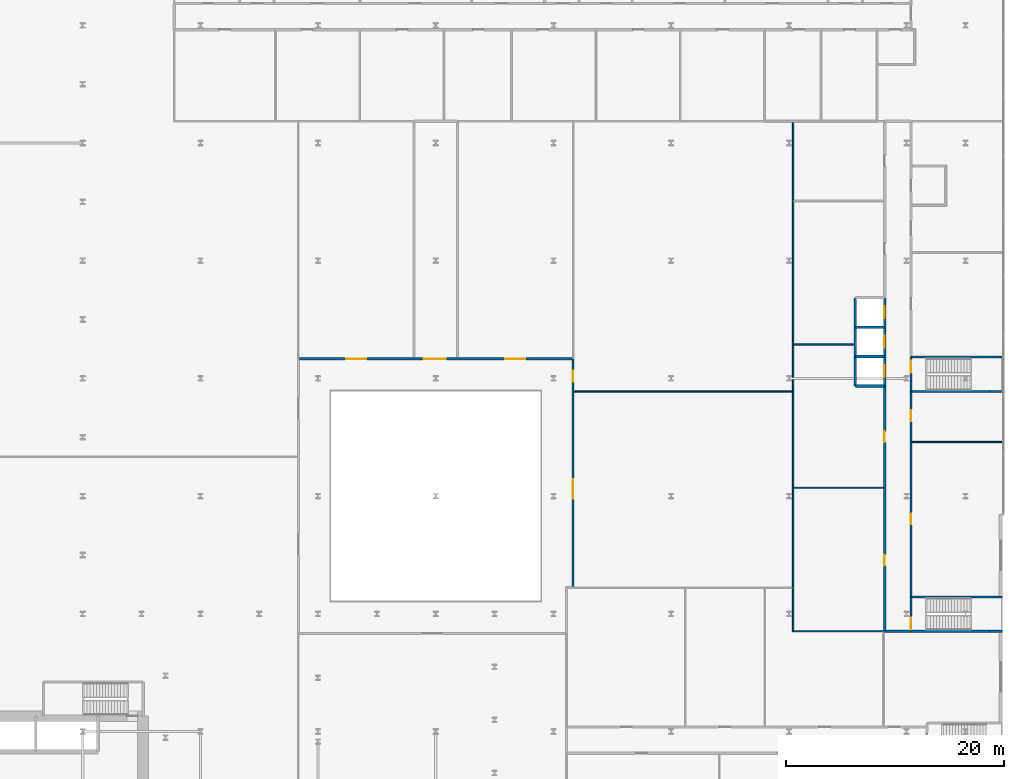
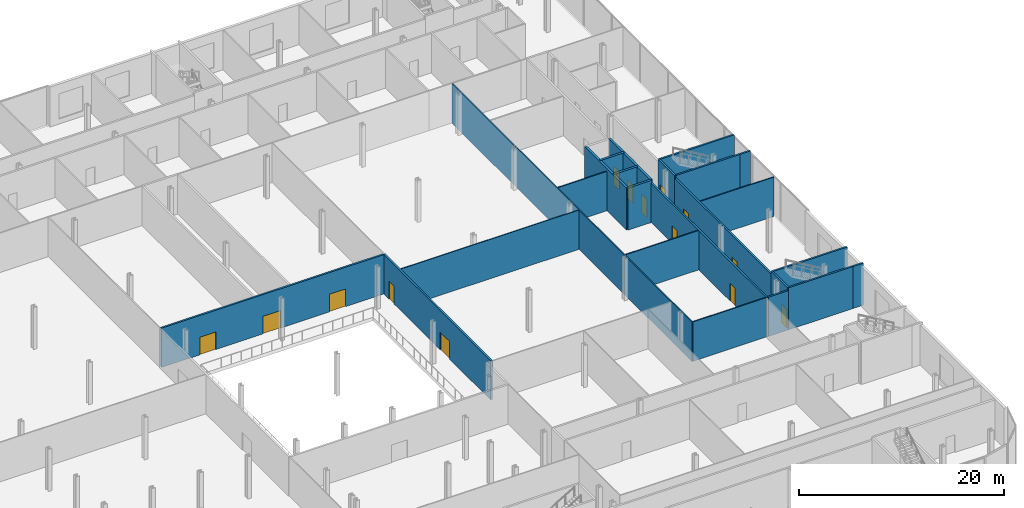
# One storey, part 32 of 47: 24 walls, 14 doors, 14 openings.
"""IFC4 building model written with IfcOpenShell, lengths in metres."""

from ifc_helpers import new_model, si_unit, direction, frame, frame_2d, origin, place, context, subcontext, project, spatial, rectangle, extrude, source, transform, mapped, material, layer, layer_set, type_object, element, fill, save


model = new_model("IFC4")

# Units and contexts
model_context = context("Model", 3, precision=1e-05, world=origin(), true_north=direction((0.0, 1.0)))
body_context = subcontext(model_context, "Body", "Model", "MODEL_VIEW")
ifc_project = project(units=[si_unit("LENGTHUNIT", "METRE"), si_unit("AREAUNIT", "SQUARE_METRE"), si_unit("VOLUMEUNIT", "CUBIC_METRE"), si_unit("PLANEANGLEUNIT", "RADIAN"), si_unit("MASSUNIT", "GRAM", prefix="KILO")], contexts=[model_context])

# Site, building, storey
site_placement = place(None, origin())
site = spatial("IfcSite", under=ifc_project, at=site_placement, CompositionType="ELEMENT")
building_placement = place(site_placement, origin())
building = spatial("IfcBuilding", under=site, at=building_placement, Name="Kheshtan School and Residences Tower", CompositionType="ELEMENT")
storey_placement = place(building_placement, frame((0.0, 0.0, 7.5)))
storey = spatial("IfcBuildingStorey", under=building, at=storey_placement, Name="L01", CompositionType="ELEMENT", Elevation=7.5)

# Walls
ifc_material_1 = material(Name="Gypsum board on steel studs with mineral wool", Category="steel")
ifc_layer_1 = layer(ifc_material_1, 0.125)
ifc_layer_set_1 = layer_set([ifc_layer_1], Name="Acoustic partition 125")
wall_type_1 = type_object("IfcWallType", Name="Acoustic partition 125", PredefinedType="PARTITIONING", material=ifc_layer_set_1)
wall_1_placement = place(storey_placement, frame((112.800048828125, 43.93798828125, 0.0), z_axis=(0.0, 0.0, 1.0), x_axis=(0.0, 1.0, 0.0)))
element("IfcWall", 1, at=wall_1_placement, inside=storey, type_object=wall_type_1, Name="Partition L01-068", PredefinedType="PARTITIONING", context=body_context, shape_type="SweptSolid", body=[
    extrude(rectangle(XDim=46.787109375, YDim=0.125, at=frame_2d((23.3935546875, 0.0))), origin(), (0.0, 0.0, 1.0), 4.679931640625),
])
wall_2_placement = place(storey_placement, frame((112.862060546875, 44.0, 0.0), z_axis=(0.0, 0.0, 1.0), x_axis=(1.0, 0.0, 0.0)))
element("IfcWall", 2, at=wall_2_placement, inside=storey, type_object=wall_type_1, Name="Partition L01-069", PredefinedType="PARTITIONING", context=body_context, shape_type="SweptSolid", body=[
    extrude(rectangle(XDim=8.279052734375, YDim=0.125, at=frame_2d((4.1396484375, 0.0))), origin(), (0.0, 0.0, 1.0), 4.679931640625),
])
wall_3_placement = place(storey_placement, frame((112.862060546875, 57.162109375, 0.0), z_axis=(0.0, 0.0, 1.0), x_axis=(1.0, 0.0, 0.0)))
element("IfcWall", 3, at=wall_3_placement, inside=storey, type_object=wall_type_1, Name="Partition L01-070", PredefinedType="PARTITIONING", context=body_context, shape_type="SweptSolid", body=[
    extrude(rectangle(XDim=8.238037109375, YDim=0.125, at=frame_2d((4.119140625, 0.0))), origin(), (0.0, 0.0, 1.0), 4.679931640625),
])
wall_4_placement = place(storey_placement, frame((112.862060546875, 70.324951171875, 0.0), z_axis=(0.0, 0.0, 1.0), x_axis=(1.0, 0.0, 0.0)))
element("IfcWall", 4, at=wall_4_placement, inside=storey, type_object=wall_type_1, Name="Partition L01-071", PredefinedType="PARTITIONING", context=body_context, shape_type="SweptSolid", body=[
    extrude(rectangle(XDim=5.513916015625, YDim=0.125, at=frame_2d((2.7568359375, 0.0))), origin(), (0.0, 0.0, 1.0), 4.679931640625),
])
wall_5_placement = place(storey_placement, frame((123.699951171875, 61.368896484375, 0.0), z_axis=(0.0, 0.0, 1.0), x_axis=(1.0, 0.0, 0.0)))
element("IfcWall", 5, at=wall_5_placement, inside=storey, type_object=wall_type_1, Name="Partition L01-091", PredefinedType="PARTITIONING", context=body_context, shape_type="SweptSolid", body=[
    extrude(rectangle(XDim=8.300048828125, YDim=0.125, at=frame_2d((4.14990234375, 0.0))), origin(), (0.0, 0.0, 1.0), 4.679931640625),
])

# Wall, openings, doors
ifc_material_2 = material(Name="Gypsum board on steel studs with fire boards", Category="steel")
ifc_layer_2 = layer(ifc_material_2, 0.199951171875)
ifc_layer_set_2 = layer_set([ifc_layer_2], Name="Corridor wall 200")
wall_type_2 = type_object("IfcWallType", Name="Corridor wall 200", PredefinedType="PARTITIONING", material=ifc_layer_set_2)
wall_6_placement = place(storey_placement, frame((67.5, 69.0, 0.0), z_axis=(0.0, 0.0, 1.0), x_axis=(1.0, 0.0, 0.0)))
wall_6 = element("IfcWall", 6, at=wall_6_placement, inside=storey, type_object=wall_type_2, Name="Partition L01-033", PredefinedType="PARTITIONING", context=body_context, shape_type="SweptSolid", body=[
    extrude(rectangle(XDim=25.0, YDim=0.199951171875, at=frame_2d((12.5, 0.0))), origin(), (0.0, 0.0, 1.0), 4.679931640625),
])
opening_1_placement = place(wall_6_placement, frame((11.39990234375, 0.0, 0.0)))
opening_1 = element("IfcOpeningElement", 7, at=opening_1_placement, cuts=wall_6, Name="Opening D01-012", PredefinedType="OPENING", context=body_context, shape_type="SweptSolid", body=[
    extrude(rectangle(XDim=2.0, YDim=2.10009765625, at=frame_2d((1.0, 1.050048828125))), frame((0.0, 0.10986328125, 0.0), z_axis=(0.0, -1.0, 0.0), x_axis=(1.0, 0.0, 0.0)), (0.0, 0.0, 1.0), 0.219970703125),
])
opening_2_placement = place(wall_6_placement, frame((4.300048828125, 0.0, 0.0)))
opening_2 = element("IfcOpeningElement", 8, at=opening_2_placement, cuts=wall_6, Name="Opening D01-032", PredefinedType="OPENING", context=body_context, shape_type="SweptSolid", body=[
    extrude(rectangle(XDim=1.800048828125, YDim=2.10009765625, at=frame_2d((0.89990234375, 1.050048828125))), frame((0.0, 0.10986328125, 0.0), z_axis=(0.0, -1.0, 0.0), x_axis=(1.0, 0.0, 0.0)), (0.0, 0.0, 1.0), 0.219970703125),
])
opening_3_placement = place(wall_6_placement, frame((18.89990234375, 0.0, 0.0)))
opening_3 = element("IfcOpeningElement", 9, at=opening_3_placement, cuts=wall_6, Name="Opening D01-033", PredefinedType="OPENING", context=body_context, shape_type="SweptSolid", body=[
    extrude(rectangle(XDim=1.800048828125, YDim=2.10009765625, at=frame_2d((0.89990234375, 1.050048828125))), frame((0.0, 0.10986328125, 0.0), z_axis=(0.0, -1.0, 0.0), x_axis=(1.0, 0.0, 0.0)), (0.0, 0.0, 1.0), 0.219970703125),
])
ifc_material_3 = material(Name="Steel-framed fire-resisting door leaf", Category="steel")
door_type_1 = type_object("IfcDoorType", Name="Fire double door FD60 1800 x 2100", OperationType="DOUBLE_DOOR_SINGLE_SWING", PredefinedType="DOOR", material=ifc_material_3)
shared_shape_1 = source(origin(), body_context, "Body", "SweptSolid", [
    extrude(rectangle(XDim=1.800048828125, YDim=2.10009765625, at=frame_2d((0.89990234375, 1.050048828125))), frame((0.0, 0.02490234375, 0.0), z_axis=(0.0, -1.0, 0.0), x_axis=(1.0, 0.0, 0.0)), (0.0, 0.0, 1.0), 0.050048828125),
])
door_1_placement = place(opening_2_placement, origin())
door_1 = element("IfcDoor", 10, at=door_1_placement, inside=storey, type_object=door_type_1, Name="Door D01-032", OperationType="DOUBLE_DOOR_SINGLE_SWING", OverallHeight=2.10009765625, OverallWidth=1.800048828125, PredefinedType="DOOR", context=body_context, shape_type="MappedRepresentation", body=[
    mapped(shared_shape_1, transform((0.0, 0.0, 0.0), x_axis=(1.0, 0.0, 0.0), y_axis=(0.0, 1.0, 0.0), z_axis=(0.0, 0.0, 1.0), scale=1.0)),
])
fill(opening_2, door_1)
door_2_placement = place(opening_3_placement, origin())
door_2 = element("IfcDoor", 11, at=door_2_placement, inside=storey, type_object=door_type_1, Name="Door D01-033", OperationType="DOUBLE_DOOR_SINGLE_SWING", OverallHeight=2.10009765625, OverallWidth=1.800048828125, PredefinedType="DOOR", context=body_context, shape_type="MappedRepresentation", body=[
    mapped(shared_shape_1, transform((0.0, 0.0, 0.0), x_axis=(1.0, 0.0, 0.0), y_axis=(0.0, 1.0, 0.0), z_axis=(0.0, 0.0, 1.0), scale=1.0)),
])
fill(opening_3, door_2)
door_type_2 = type_object("IfcDoorType", Name="Fire double door FD60 2000 x 2100", OperationType="DOUBLE_DOOR_SINGLE_SWING", PredefinedType="DOOR", material=ifc_material_3)
shared_shape_2 = source(origin(), body_context, "Body", "SweptSolid", [
    extrude(rectangle(XDim=2.0, YDim=2.10009765625, at=frame_2d((1.0, 1.050048828125))), frame((0.0, 0.02490234375, 0.0), z_axis=(0.0, -1.0, 0.0), x_axis=(1.0, 0.0, 0.0)), (0.0, 0.0, 1.0), 0.050048828125),
])
door_3_placement = place(opening_1_placement, origin())
door_3 = element("IfcDoor", 12, at=door_3_placement, inside=storey, type_object=door_type_2, Name="Door D01-012", OperationType="DOUBLE_DOOR_SINGLE_SWING", OverallHeight=2.10009765625, OverallWidth=2.0, PredefinedType="DOOR", context=body_context, shape_type="MappedRepresentation", body=[
    mapped(shared_shape_2, transform((0.0, 0.0, 0.0), x_axis=(1.0, 0.0, 0.0), y_axis=(0.0, 1.0, 0.0), z_axis=(0.0, 0.0, 1.0), scale=1.0)),
])
fill(opening_1, door_3)

wall_7_placement = place(storey_placement, frame((92.60009765625, 48.10009765625, 0.0), z_axis=(0.0, 0.0, 1.0), x_axis=(0.0, 1.0, 0.0)))
wall_7 = element("IfcWall", 13, at=wall_7_placement, inside=storey, type_object=wall_type_2, Name="Partition L01-054", PredefinedType="PARTITIONING", context=body_context, shape_type="SweptSolid", body=[
    extrude(rectangle(XDim=20.89990234375, YDim=0.199951171875, at=frame_2d((10.449951171875, 0.0))), origin(), (0.0, 0.0, 1.0), 4.679931640625),
])
opening_4_placement = place(wall_7_placement, frame((8.050048828125, 0.0, 0.0)))
opening_4 = element("IfcOpeningElement", 14, at=opening_4_placement, cuts=wall_7, Name="Opening D01-010", PredefinedType="OPENING", context=body_context, shape_type="SweptSolid", body=[
    extrude(rectangle(XDim=1.800048828125, YDim=2.10009765625, at=frame_2d((0.89990234375, 1.050048828125))), frame((0.0, 0.10986328125, 0.0), z_axis=(0.0, -1.0, 0.0), x_axis=(1.0, 0.0, 0.0)), (0.0, 0.0, 1.0), 0.219970703125),
])
opening_5_placement = place(wall_7_placement, frame((18.800048828125, 0.0, 0.0)))
opening_5 = element("IfcOpeningElement", 15, at=opening_5_placement, cuts=wall_7, Name="Opening D01-011", PredefinedType="OPENING", context=body_context, shape_type="SweptSolid", body=[
    extrude(rectangle(XDim=1.0, YDim=2.10009765625, at=frame_2d((0.5, 1.050048828125))), frame((0.0, 0.10986328125, 0.0), z_axis=(0.0, -1.0, 0.0), x_axis=(1.0, 0.0, 0.0)), (0.0, 0.0, 1.0), 0.219970703125),
])
door_4_placement = place(opening_4_placement, origin())
door_4 = element("IfcDoor", 16, at=door_4_placement, inside=storey, type_object=door_type_1, Name="Door D01-010", OperationType="DOUBLE_DOOR_SINGLE_SWING", OverallHeight=2.10009765625, OverallWidth=1.800048828125, PredefinedType="DOOR", context=body_context, shape_type="MappedRepresentation", body=[
    mapped(shared_shape_1, transform((0.0, 0.0, 0.0), x_axis=(1.0, 0.0, 0.0), y_axis=(0.0, 1.0, 0.0), z_axis=(0.0, 0.0, 1.0), scale=1.0)),
])
fill(opening_4, door_4)
door_type_3 = type_object("IfcDoorType", Name="Fire door FD60 1000 x 2100", OperationType="SINGLE_SWING_LEFT", PredefinedType="DOOR", material=ifc_material_3)
shared_shape_3 = source(origin(), body_context, "Body", "SweptSolid", [
    extrude(rectangle(XDim=1.0, YDim=2.10009765625, at=frame_2d((0.5, 1.050048828125))), frame((0.0, 0.02490234375, 0.0), z_axis=(0.0, -1.0, 0.0), x_axis=(1.0, 0.0, 0.0)), (0.0, 0.0, 1.0), 0.050048828125),
])
door_5_placement = place(opening_5_placement, origin())
door_5 = element("IfcDoor", 17, at=door_5_placement, inside=storey, type_object=door_type_3, Name="Door D01-011", OperationType="SINGLE_SWING_RIGHT", OverallHeight=2.10009765625, OverallWidth=1.0, PredefinedType="DOOR", context=body_context, shape_type="MappedRepresentation", body=[
    mapped(shared_shape_3, transform((0.0, 0.0, 0.0), x_axis=(1.0, 0.0, 0.0), y_axis=(0.0, 1.0, 0.0), z_axis=(0.0, 0.0, 1.0), scale=1.0)),
])
fill(opening_5, door_5)

wall_8_placement = place(storey_placement, frame((121.199951171875, 43.89990234375, 0.0), z_axis=(0.0, 0.0, 1.0), x_axis=(0.0, 1.0, 0.0)))
wall_8 = element("IfcWall", 18, at=wall_8_placement, inside=storey, type_object=wall_type_2, Name="Partition L01-081", PredefinedType="PARTITIONING", context=body_context, shape_type="SweptSolid", body=[
    extrude(rectangle(XDim=22.60009765625, YDim=0.199951171875, at=frame_2d((11.300048828125, 0.0))), origin(), (0.0, 0.0, 1.0), 4.679931640625),
])
opening_6_placement = place(wall_8_placement, frame((6.112060546875, 0.0, 0.0)))
opening_6 = element("IfcOpeningElement", 19, at=opening_6_placement, cuts=wall_8, Name="Opening D01-001", PredefinedType="OPENING", context=body_context, shape_type="SweptSolid", body=[
    extrude(rectangle(XDim=1.0, YDim=2.10009765625, at=frame_2d((0.5, 1.050048828125))), frame((0.0, 0.10986328125, 0.0), z_axis=(0.0, -1.0, 0.0), x_axis=(1.0, 0.0, 0.0)), (0.0, 0.0, 1.0), 0.219970703125),
])
opening_7_placement = place(wall_8_placement, frame((17.449951171875, 0.0, 0.0)))
opening_7 = element("IfcOpeningElement", 20, at=opening_7_placement, cuts=wall_8, Name="Opening D01-002", PredefinedType="OPENING", context=body_context, shape_type="SweptSolid", body=[
    extrude(rectangle(XDim=1.0, YDim=2.10009765625, at=frame_2d((0.5, 1.050048828125))), frame((0.0, 0.10986328125, 0.0), z_axis=(0.0, -1.0, 0.0), x_axis=(1.0, 0.0, 0.0)), (0.0, 0.0, 1.0), 0.219970703125),
])
door_6_placement = place(opening_6_placement, origin())
door_6 = element("IfcDoor", 21, at=door_6_placement, inside=storey, type_object=door_type_3, Name="Door D01-001", OperationType="SINGLE_SWING_RIGHT", OverallHeight=2.10009765625, OverallWidth=1.0, PredefinedType="DOOR", context=body_context, shape_type="MappedRepresentation", body=[
    mapped(shared_shape_3, transform((0.0, 0.0, 0.0), x_axis=(1.0, 0.0, 0.0), y_axis=(0.0, 1.0, 0.0), z_axis=(0.0, 0.0, 1.0), scale=1.0)),
])
fill(opening_6, door_6)
door_7_placement = place(opening_7_placement, origin())
door_7 = element("IfcDoor", 22, at=door_7_placement, inside=storey, type_object=door_type_3, Name="Door D01-002", OperationType="SINGLE_SWING_LEFT", OverallHeight=2.10009765625, OverallWidth=1.0, PredefinedType="DOOR", context=body_context, shape_type="MappedRepresentation", body=[
    mapped(shared_shape_3, transform((0.0, 0.0, 0.0), x_axis=(1.0, 0.0, 0.0), y_axis=(0.0, 1.0, 0.0), z_axis=(0.0, 0.0, 1.0), scale=1.0)),
])
fill(opening_7, door_7)

# Wall
wall_9_placement = place(storey_placement, frame((121.300048828125, 44.0, 0.0), z_axis=(0.0, 0.0, 1.0), x_axis=(1.0, 0.0, 0.0)))
element("IfcWall", 23, at=wall_9_placement, inside=storey, type_object=wall_type_2, Name="Partition L01-084", PredefinedType="PARTITIONING", context=body_context, shape_type="SweptSolid", body=[
    extrude(rectangle(XDim=2.300048828125, YDim=0.199951171875, at=frame_2d((1.14990234375, 0.0))), origin(), (0.0, 0.0, 1.0), 4.679931640625),
])

# Wall, openings, doors
wall_10_placement = place(storey_placement, frame((123.60009765625, 47.14990234375, 0.0), z_axis=(0.0, 0.0, 1.0), x_axis=(0.0, 1.0, 0.0)))
wall_10 = element("IfcWall", 24, at=wall_10_placement, inside=storey, type_object=wall_type_2, Name="Partition L01-085", PredefinedType="PARTITIONING", context=body_context, shape_type="SweptSolid", body=[
    extrude(rectangle(XDim=18.85009765625, YDim=0.199951171875, at=frame_2d((9.425048828125, 0.0))), origin(), (0.0, 0.0, 1.0), 4.679931640625),
])
opening_8_placement = place(wall_10_placement, frame((6.64990234375, 0.0, 0.0)))
opening_8 = element("IfcOpeningElement", 25, at=opening_8_placement, cuts=wall_10, Name="Opening D01-005", PredefinedType="OPENING", context=body_context, shape_type="SweptSolid", body=[
    extrude(rectangle(XDim=1.0, YDim=2.10009765625, at=frame_2d((0.5, 1.050048828125))), frame((0.0, 0.10986328125, 0.0), z_axis=(0.0, -1.0, 0.0), x_axis=(1.0, 0.0, 0.0)), (0.0, 0.0, 1.0), 0.219970703125),
])
opening_9_placement = place(wall_10_placement, frame((16.118896484375, 0.0, 0.0)))
opening_9 = element("IfcOpeningElement", 26, at=opening_9_placement, cuts=wall_10, Name="Opening D01-006", PredefinedType="OPENING", context=body_context, shape_type="SweptSolid", body=[
    extrude(rectangle(XDim=1.0, YDim=2.10009765625, at=frame_2d((0.5, 1.050048828125))), frame((0.0, 0.10986328125, 0.0), z_axis=(0.0, -1.0, 0.0), x_axis=(1.0, 0.0, 0.0)), (0.0, 0.0, 1.0), 0.219970703125),
])
door_8_placement = place(opening_8_placement, origin())
door_8 = element("IfcDoor", 27, at=door_8_placement, inside=storey, type_object=door_type_3, Name="Door D01-005", OperationType="SINGLE_SWING_RIGHT", OverallHeight=2.10009765625, OverallWidth=1.0, PredefinedType="DOOR", context=body_context, shape_type="MappedRepresentation", body=[
    mapped(shared_shape_3, transform((0.0, 0.0, 0.0), x_axis=(1.0, 0.0, 0.0), y_axis=(0.0, 1.0, 0.0), z_axis=(0.0, 0.0, 1.0), scale=1.0)),
])
fill(opening_8, door_8)
door_9_placement = place(opening_9_placement, origin())
door_9 = element("IfcDoor", 28, at=door_9_placement, inside=storey, type_object=door_type_3, Name="Door D01-006", OperationType="SINGLE_SWING_RIGHT", OverallHeight=2.10009765625, OverallWidth=1.0, PredefinedType="DOOR", context=body_context, shape_type="MappedRepresentation", body=[
    mapped(shared_shape_3, transform((0.0, 0.0, 0.0), x_axis=(1.0, 0.0, 0.0), y_axis=(0.0, 1.0, 0.0), z_axis=(0.0, 0.0, 1.0), scale=1.0)),
])
fill(opening_9, door_9)

# Walls
ifc_material_4 = material(Name="Gypsum board on steel studs", Category="steel")
ifc_layer_3 = layer(ifc_material_4, 0.10009765625)
ifc_layer_set_3 = layer_set([ifc_layer_3], Name="Gypsum partition 100")
wall_type_3 = type_object("IfcWallType", Name="Gypsum partition 100", PredefinedType="PARTITIONING", material=ifc_layer_set_3)
wall_11_placement = place(storey_placement, frame((92.699951171875, 66.0, 0.0), z_axis=(0.0, 0.0, 1.0), x_axis=(1.0, 0.0, 0.0)))
element("IfcWall", 29, at=wall_11_placement, inside=storey, type_object=wall_type_3, Name="Partition L01-056", PredefinedType="PARTITIONING", context=body_context, shape_type="SweptSolid", body=[
    extrude(rectangle(XDim=20.0380859375, YDim=0.10009765625, at=frame_2d((10.01904296875, 0.0))), origin(), (0.0, 0.0, 1.0), 4.679931640625),
])
ifc_material_5 = material(Name="Fire-board shaft wall system")
ifc_layer_4 = layer(ifc_material_5, 0.25)
ifc_layer_set_4 = layer_set([ifc_layer_4], Name="Shaft lining wall 250")
wall_type_4 = type_object("IfcWallType", Name="Shaft lining wall 250", PredefinedType="PARTITIONING", material=ifc_layer_set_4)
wall_12_placement = place(storey_placement, frame((118.5, 66.5, 0.0), z_axis=(0.0, 0.0, 1.0), x_axis=(0.0, 1.0, 0.0)))
element("IfcWall", 30, at=wall_12_placement, inside=storey, type_object=wall_type_4, Name="Shaft lining wall", PredefinedType="PARTITIONING", context=body_context, shape_type="SweptSolid", body=[
    extrude(rectangle(XDim=8.10009765625, YDim=0.25, at=frame_2d((4.050048828125, 0.0))), origin(), (0.0, 0.0, 1.0), 5.0),
])

# Wall, openings, doors
wall_13_placement = place(storey_placement, frame((121.199951171875, 66.5, 0.0), z_axis=(0.0, 0.0, 1.0), x_axis=(0.0, 1.0, 0.0)))
wall_13 = element("IfcWall", 31, at=wall_13_placement, inside=storey, type_object=wall_type_4, Name="Shaft lining wall", PredefinedType="PARTITIONING", context=body_context, shape_type="SweptSolid", body=[
    extrude(rectangle(XDim=8.10009765625, YDim=0.25, at=frame_2d((4.050048828125, 0.0))), origin(), (0.0, 0.0, 1.0), 5.0),
])
opening_10_placement = place(wall_13_placement, frame((0.800048828125, 0.0, 0.0)))
opening_10 = element("IfcOpeningElement", 32, at=opening_10_placement, cuts=wall_13, Name="Opening LD", PredefinedType="OPENING", context=body_context, shape_type="SweptSolid", body=[
    extrude(rectangle(XDim=1.10009765625, YDim=2.199951171875, at=frame_2d((0.550048828125, 1.10009765625))), frame((0.0, 0.135009765625, 0.0), z_axis=(0.0, -1.0, 0.0), x_axis=(1.0, 0.0, 0.0)), (0.0, 0.0, 1.0), 0.27001953125),
])
opening_11_placement = place(wall_13_placement, frame((3.5, 0.0, 0.0)))
opening_11 = element("IfcOpeningElement", 33, at=opening_11_placement, cuts=wall_13, Name="Opening LD", PredefinedType="OPENING", context=body_context, shape_type="SweptSolid", body=[
    extrude(rectangle(XDim=1.10009765625, YDim=2.199951171875, at=frame_2d((0.550048828125, 1.10009765625))), frame((0.0, 0.135009765625, 0.0), z_axis=(0.0, -1.0, 0.0), x_axis=(1.0, 0.0, 0.0)), (0.0, 0.0, 1.0), 0.27001953125),
])
opening_12_placement = place(wall_13_placement, frame((6.199951171875, 0.0, 0.0)))
opening_12 = element("IfcOpeningElement", 34, at=opening_12_placement, cuts=wall_13, Name="Opening LD", PredefinedType="OPENING", context=body_context, shape_type="SweptSolid", body=[
    extrude(rectangle(XDim=1.10009765625, YDim=2.199951171875, at=frame_2d((0.550048828125, 1.10009765625))), frame((0.0, 0.135009765625, 0.0), z_axis=(0.0, -1.0, 0.0), x_axis=(1.0, 0.0, 0.0)), (0.0, 0.0, 1.0), 0.27001953125),
])
ifc_material_6 = material(Name="Stainless steel door leaves", Category="steel")
door_type_4 = type_object("IfcDoorType", Name="Lift landing door 1100", OperationType="SLIDING_TO_LEFT", PredefinedType="DOOR", material=ifc_material_6)
shared_shape_4 = source(origin(), body_context, "Body", "SweptSolid", [
    extrude(rectangle(XDim=1.10009765625, YDim=2.199951171875, at=frame_2d((0.550048828125, 1.10009765625))), frame((0.0, 0.02490234375, 0.0), z_axis=(0.0, -1.0, 0.0), x_axis=(1.0, 0.0, 0.0)), (0.0, 0.0, 1.0), 0.050048828125),
])
door_10_placement = place(opening_10_placement, origin())
door_10 = element("IfcDoor", 35, at=door_10_placement, inside=storey, type_object=door_type_4, Name="Lift SCL1 landing door", OperationType="SLIDING_TO_LEFT", OverallHeight=2.199951171875, OverallWidth=1.10009765625, PredefinedType="DOOR", context=body_context, shape_type="MappedRepresentation", body=[
    mapped(shared_shape_4, transform((0.0, 0.0, 0.0), x_axis=(1.0, 0.0, 0.0), y_axis=(0.0, 1.0, 0.0), z_axis=(0.0, 0.0, 1.0), scale=1.0)),
])
fill(opening_10, door_10)
door_11_placement = place(opening_11_placement, origin())
door_11 = element("IfcDoor", 36, at=door_11_placement, inside=storey, type_object=door_type_4, Name="Lift SCL2 landing door", OperationType="SLIDING_TO_LEFT", OverallHeight=2.199951171875, OverallWidth=1.10009765625, PredefinedType="DOOR", context=body_context, shape_type="MappedRepresentation", body=[
    mapped(shared_shape_4, transform((0.0, 0.0, 0.0), x_axis=(1.0, 0.0, 0.0), y_axis=(0.0, 1.0, 0.0), z_axis=(0.0, 0.0, 1.0), scale=1.0)),
])
fill(opening_11, door_11)
door_12_placement = place(opening_12_placement, origin())
door_12 = element("IfcDoor", 37, at=door_12_placement, inside=storey, type_object=door_type_4, Name="Lift SCL3 landing door", OperationType="SLIDING_TO_LEFT", OverallHeight=2.199951171875, OverallWidth=1.10009765625, PredefinedType="DOOR", context=body_context, shape_type="MappedRepresentation", body=[
    mapped(shared_shape_4, transform((0.0, 0.0, 0.0), x_axis=(1.0, 0.0, 0.0), y_axis=(0.0, 1.0, 0.0), z_axis=(0.0, 0.0, 1.0), scale=1.0)),
])
fill(opening_12, door_12)

# Walls
for number, where, z_axis, x_axis, name in (
    (38, (118.5, 66.5, 0.0), (0.0, 0.0, 1.0), (1.0, 0.0, 0.0), "Shaft lining wall"),
    (39, (118.5, 69.199951171875, 0.0), (0.0, 0.0, 1.0), (1.0, 0.0, 0.0), "Shaft lining wall"),
    (40, (118.5, 71.89990234375, 0.0), (0.0, 0.0, 1.0), (1.0, 0.0, 0.0), "Shaft lining wall"),
):
    element("IfcWall", number, at=place(storey_placement, frame(where, z_axis=z_axis, x_axis=x_axis)), inside=storey, type_object=wall_type_4, Name=name, PredefinedType="PARTITIONING", context=body_context, shape_type="SweptSolid", body=[
        extrude(rectangle(XDim=2.699951171875, YDim=0.25, at=frame_2d((1.35009765625, 0.0))), origin(), (0.0, 0.0, 1.0), 5.0),
    ])
ifc_material_7 = material(Name="Concrete C40/50", Category="concrete")
ifc_layer_5 = layer(ifc_material_7, 0.199951171875)
ifc_layer_set_5 = layer_set([ifc_layer_5], Name="Stair enclosure wall 200 Concrete C40/50")
wall_type_5 = type_object("IfcWallType", Name="Stair enclosure wall 200 Concrete C40/50", PredefinedType="SHEAR", material=ifc_layer_set_5)
wall_14_placement = place(storey_placement, frame((123.60009765625, 44.0, 0.0), z_axis=(0.0, 0.0, 1.0), x_axis=(1.0, 0.0, 0.0)))
element("IfcWall", 41, at=wall_14_placement, inside=storey, type_object=wall_type_5, Name="Stair enclosure wall", PredefinedType="SHEAR", context=body_context, shape_type="SweptSolid", body=[
    extrude(rectangle(XDim=7.199951171875, YDim=0.199951171875, at=frame_2d((3.60009765625, 0.0))), origin(), (0.0, 0.0, 1.0), 5.0),
])
wall_15_placement = place(storey_placement, frame((130.800048828125, 44.0, 0.0), z_axis=(0.0, 0.0, 1.0), x_axis=(1.0, 0.0, 0.0)))
element("IfcWall", 42, at=wall_15_placement, inside=storey, type_object=wall_type_5, Name="Stair enclosure wall", PredefinedType="SHEAR", context=body_context, shape_type="SweptSolid", body=[
    extrude(rectangle(XDim=1.199951171875, YDim=0.199951171875, at=frame_2d((0.60009765625, 0.0))), origin(), (0.0, 0.0, 1.0), 5.0),
])
wall_16_placement = place(storey_placement, frame((123.60009765625, 47.14990234375, 0.0), z_axis=(0.0, 0.0, 1.0), x_axis=(1.0, 0.0, 0.0)))
element("IfcWall", 43, at=wall_16_placement, inside=storey, type_object=wall_type_5, Name="Stair enclosure wall", PredefinedType="SHEAR", context=body_context, shape_type="SweptSolid", body=[
    extrude(rectangle(XDim=8.39990234375, YDim=0.199951171875, at=frame_2d((4.199951171875, 0.0))), origin(), (0.0, 0.0, 1.0), 5.0),
])

# Wall, opening, door
wall_17_placement = place(storey_placement, frame((123.60009765625, 44.0, 0.0), z_axis=(0.0, 0.0, 1.0), x_axis=(0.0, 1.0, 0.0)))
wall_17 = element("IfcWall", 44, at=wall_17_placement, inside=storey, type_object=wall_type_5, Name="Stair enclosure wall", PredefinedType="SHEAR", context=body_context, shape_type="SweptSolid", body=[
    extrude(rectangle(XDim=3.14990234375, YDim=0.199951171875, at=frame_2d((1.574951171875, 0.0))), origin(), (0.0, 0.0, 1.0), 5.0),
])
opening_13_placement = place(wall_17_placement, frame((0.14990234375, 0.0, 0.0)))
opening_13 = element("IfcOpeningElement", 45, at=opening_13_placement, cuts=wall_17, Name="Opening SD90", PredefinedType="OPENING", context=body_context, shape_type="SweptSolid", body=[
    extrude(rectangle(XDim=1.10009765625, YDim=2.199951171875, at=frame_2d((0.550048828125, 1.10009765625))), frame((0.0, 0.10986328125, 0.0), z_axis=(0.0, -1.0, 0.0), x_axis=(1.0, 0.0, 0.0)), (0.0, 0.0, 1.0), 0.219970703125),
])
ifc_material_8 = material(Name="Steel door leaf, galvanised", Category="steel")
door_type_5 = type_object("IfcDoorType", Name="Stair door 1100 steel 90 min", OperationType="SINGLE_SWING_LEFT", PredefinedType="DOOR", material=ifc_material_8)
shared_shape_5 = source(origin(), body_context, "Body", "SweptSolid", [
    extrude(rectangle(XDim=1.10009765625, YDim=2.199951171875, at=frame_2d((0.550048828125, 1.10009765625))), frame((0.0, 0.02490234375, 0.0), z_axis=(0.0, -1.0, 0.0), x_axis=(1.0, 0.0, 0.0)), (0.0, 0.0, 1.0), 0.050048828125),
])
door_13_placement = place(opening_13_placement, origin())
door_13 = element("IfcDoor", 46, at=door_13_placement, inside=storey, type_object=door_type_5, Name="Stair door", OperationType="SINGLE_SWING_RIGHT", OverallHeight=2.199951171875, OverallWidth=1.10009765625, PredefinedType="DOOR", context=body_context, shape_type="MappedRepresentation", body=[
    mapped(shared_shape_5, transform((0.0, 0.0, 0.0), x_axis=(1.0, 0.0, 0.0), y_axis=(0.0, 1.0, 0.0), z_axis=(0.0, 0.0, 1.0), scale=1.0)),
])
fill(opening_13, door_13)

# Walls
wall_18_placement = place(storey_placement, frame((123.60009765625, 66.0, 0.0), z_axis=(0.0, 0.0, 1.0), x_axis=(1.0, 0.0, 0.0)))
element("IfcWall", 47, at=wall_18_placement, inside=storey, type_object=wall_type_5, Name="Stair enclosure wall", PredefinedType="SHEAR", context=body_context, shape_type="SweptSolid", body=[
    extrude(rectangle(XDim=7.199951171875, YDim=0.199951171875, at=frame_2d((3.60009765625, 0.0))), origin(), (0.0, 0.0, 1.0), 5.0),
])
wall_19_placement = place(storey_placement, frame((130.800048828125, 66.0, 0.0), z_axis=(0.0, 0.0, 1.0), x_axis=(1.0, 0.0, 0.0)))
element("IfcWall", 48, at=wall_19_placement, inside=storey, type_object=wall_type_5, Name="Stair enclosure wall", PredefinedType="SHEAR", context=body_context, shape_type="SweptSolid", body=[
    extrude(rectangle(XDim=1.199951171875, YDim=0.199951171875, at=frame_2d((0.60009765625, 0.0))), origin(), (0.0, 0.0, 1.0), 5.0),
])
wall_20_placement = place(storey_placement, frame((123.60009765625, 69.14990234375, 0.0), z_axis=(0.0, 0.0, 1.0), x_axis=(1.0, 0.0, 0.0)))
element("IfcWall", 49, at=wall_20_placement, inside=storey, type_object=wall_type_5, Name="Stair enclosure wall", PredefinedType="SHEAR", context=body_context, shape_type="SweptSolid", body=[
    extrude(rectangle(XDim=8.39990234375, YDim=0.199951171875, at=frame_2d((4.199951171875, 0.0))), origin(), (0.0, 0.0, 1.0), 5.0),
])

# Wall, opening, door
wall_21_placement = place(storey_placement, frame((123.60009765625, 66.0, 0.0), z_axis=(0.0, 0.0, 1.0), x_axis=(0.0, 1.0, 0.0)))
wall_21 = element("IfcWall", 50, at=wall_21_placement, inside=storey, type_object=wall_type_5, Name="Stair enclosure wall", PredefinedType="SHEAR", context=body_context, shape_type="SweptSolid", body=[
    extrude(rectangle(XDim=3.14990234375, YDim=0.199951171875, at=frame_2d((1.574951171875, 0.0))), origin(), (0.0, 0.0, 1.0), 5.0),
])
opening_14_placement = place(wall_21_placement, frame((1.699951171875, 0.0, 0.0)))
opening_14 = element("IfcOpeningElement", 51, at=opening_14_placement, cuts=wall_21, Name="Opening SD90", PredefinedType="OPENING", context=body_context, shape_type="SweptSolid", body=[
    extrude(rectangle(XDim=1.10009765625, YDim=2.199951171875, at=frame_2d((0.550048828125, 1.10009765625))), frame((0.0, 0.10986328125, 0.0), z_axis=(0.0, -1.0, 0.0), x_axis=(1.0, 0.0, 0.0)), (0.0, 0.0, 1.0), 0.219970703125),
])
door_14_placement = place(opening_14_placement, origin())
door_14 = element("IfcDoor", 52, at=door_14_placement, inside=storey, type_object=door_type_5, Name="Stair door", OperationType="SINGLE_SWING_LEFT", OverallHeight=2.199951171875, OverallWidth=1.10009765625, PredefinedType="DOOR", context=body_context, shape_type="MappedRepresentation", body=[
    mapped(shared_shape_5, transform((0.0, 0.0, 0.0), x_axis=(1.0, 0.0, 0.0), y_axis=(0.0, 1.0, 0.0), z_axis=(0.0, 0.0, 1.0), scale=1.0)),
])
fill(opening_14, door_14)

save(model, "model.ifc")
